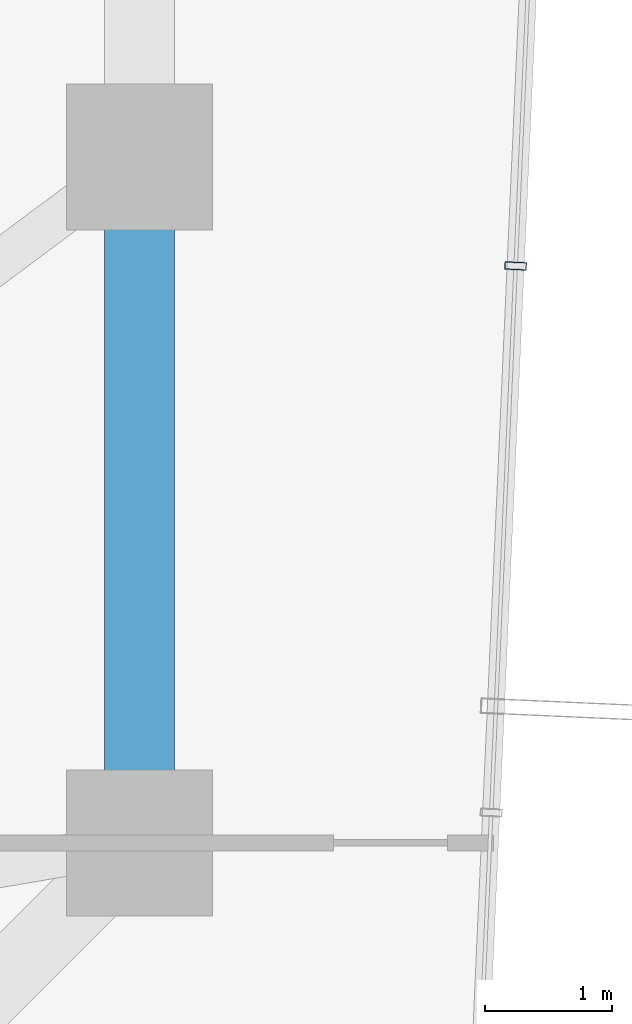
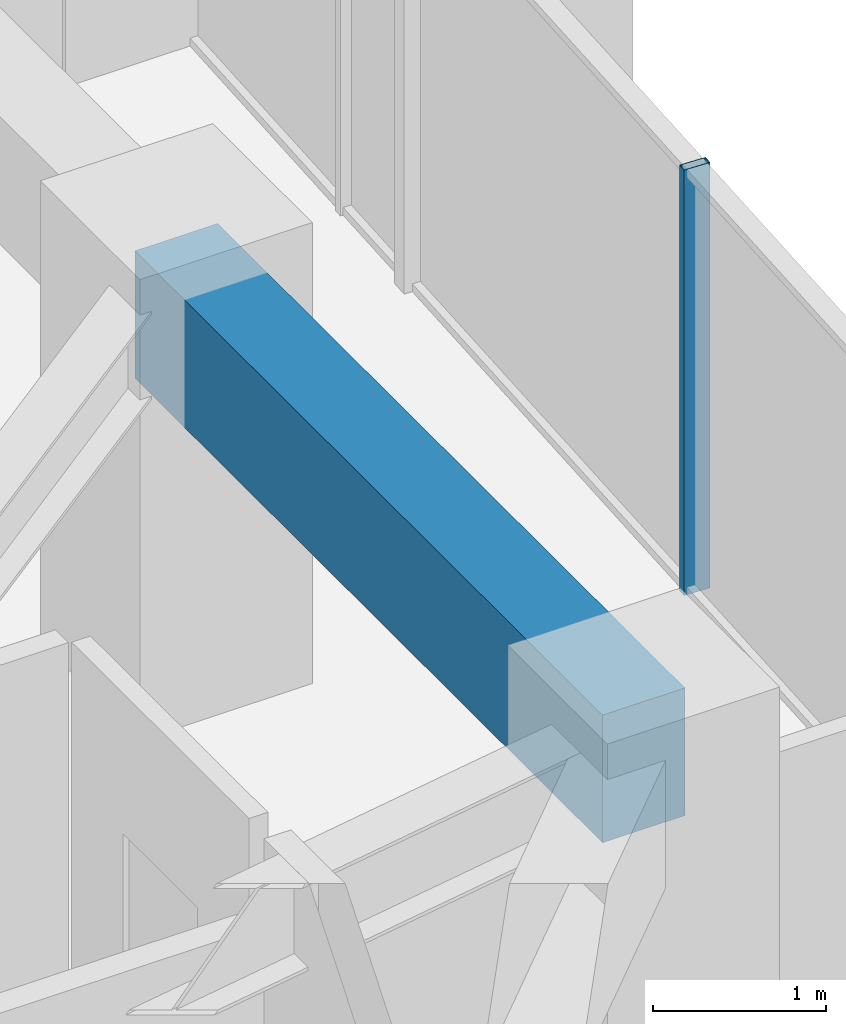
# One storey, part 13 of 30: 1 beam, 1 member, 1 element without a shape of its own.
"""IFC4 building model written with IfcOpenShell, lengths in metres."""

from ifc_helpers import new_model, si_unit, direction, frame, origin, origin_2d, place, context, subcontext, project, spatial, rectangle, hollow_rectangle, extrude, source, transform, mapped, material, layer, layer_set, material_profile, profile_set, type_object, element, aggregate, save


model = new_model("IFC4")

# Units and contexts
model_context = context("Model", 3, precision=1e-05, world=origin(), true_north=direction((0.0, 1.0)))
body_context = subcontext(model_context, "Body", "Model", "MODEL_VIEW")
ifc_project = project(units=[si_unit("LENGTHUNIT", "METRE"), si_unit("AREAUNIT", "SQUARE_METRE"), si_unit("VOLUMEUNIT", "CUBIC_METRE"), si_unit("PLANEANGLEUNIT", "RADIAN"), si_unit("MASSUNIT", "GRAM", prefix="KILO")], contexts=[model_context])

# Site, building, storey
site_placement = place(None, origin())
site = spatial("IfcSite", under=ifc_project, at=site_placement, CompositionType="ELEMENT")
building_placement = place(site_placement, origin())
building = spatial("IfcBuilding", under=site, at=building_placement, Name="Veraguas Prism Commons", CompositionType="ELEMENT")
storey_placement = place(building_placement, frame((0.0, 0.0, 119.75)))
storey = spatial("IfcBuildingStorey", under=building, at=storey_placement, Name="L33", CompositionType="ELEMENT", Elevation=119.75)

# Beam
ifc_material_1 = material(Name="Concrete C50/60", Category="concrete")
ifc_material_profile_1 = material_profile(ifc_material_1, rectangle(XDim=0.550048828125, YDim=0.89990234375, at=origin_2d()), Name="RC550X900")
ifc_profile_set_1 = profile_set([ifc_material_profile_1], Name="Concrete C50/60")
beam_type = type_object("IfcBeamType", Name="Perimeter Spandrel Lower RC 550x900", PredefinedType="SPANDREL", material=ifc_profile_set_1)
beam_placement = place(storey_placement, frame((40.199951171875, 18.60009765625, 2.550048828125), z_axis=(0.0, 1.0, 0.0), x_axis=(-1.0, 0.0, 0.0)))
element("IfcBeam", 1, at=beam_placement, inside=storey, type_object=beam_type, Name="Perimeter Spandrel Beam L33-SP01", PredefinedType="SPANDREL", context=body_context, shape_type="SweptSolid", body=[
    extrude(rectangle(XDim=0.550048828125, YDim=0.89990234375, at=origin_2d()), origin(), (0.0, 0.0, 1.0), 5.39990234375),
])

# Curtain wall, member
ifc_material_2 = material(Name="Anodised aluminium EN AW-6063 T6", Category="aluminium")
ifc_layer = layer(ifc_material_2, 0.169921875, Name="Unitised Flush Curtain Wall Zone 2", Category="aluminium")
ifc_layer_set = layer_set([ifc_layer], Name="Anodised aluminium EN AW-6063 T6")
curtain_wall_type = type_object("IfcCurtainWallType", Name="Unitised Flush Curtain Wall Zone 2", PredefinedType="NOTDEFINED", material=ifc_layer_set)
curtain_wall_placement = place(storey_placement, origin())
curtain_wall = element("IfcCurtainWall", 2, at=curtain_wall_placement, inside=storey, type_object=curtain_wall_type, Name="Tower Facade Curtain Wall L33-F6", PredefinedType="NOTDEFINED")
ifc_material_profile_2 = material_profile(ifc_material_2, hollow_rectangle(XDim=0.06005859375, YDim=0.169921875, WallThickness=0.00390625, at=origin_2d()), Name="AL60X170X4")
ifc_profile_set_2 = profile_set([ifc_material_profile_2], Name="Anodised aluminium EN AW-6063 T6")
member_type = type_object("IfcMemberType", Name="Curtain Wall Mullion Lower AL 60x170x4", PredefinedType="MULLION", material=ifc_profile_set_2)
shared_shape = source(origin(), body_context, "Body", "SweptSolid", [
    extrude(hollow_rectangle(XDim=0.06005859375, YDim=0.169921875, WallThickness=0.00390625, at=origin_2d()), origin(), (0.0, 0.0, 1.0), 3.0),
])
member_placement = place(storey_placement, frame((43.163330078125, 23.143310546875, 0.0), z_axis=(0.0, 0.0, 1.0), x_axis=(0.044667307696, 0.999001917728, 0.0)))
member = element("IfcMember", 3, at=member_placement, type_object=member_type, Name="CW-Z2 Mullion 3", PredefinedType="MULLION", context=body_context, shape_type="MappedRepresentation", body=[
    mapped(shared_shape, transform((0.0, 0.0, 0.0), scale=1.0)),
])
aggregate(curtain_wall, [member])

save(model, "model.ifc")
